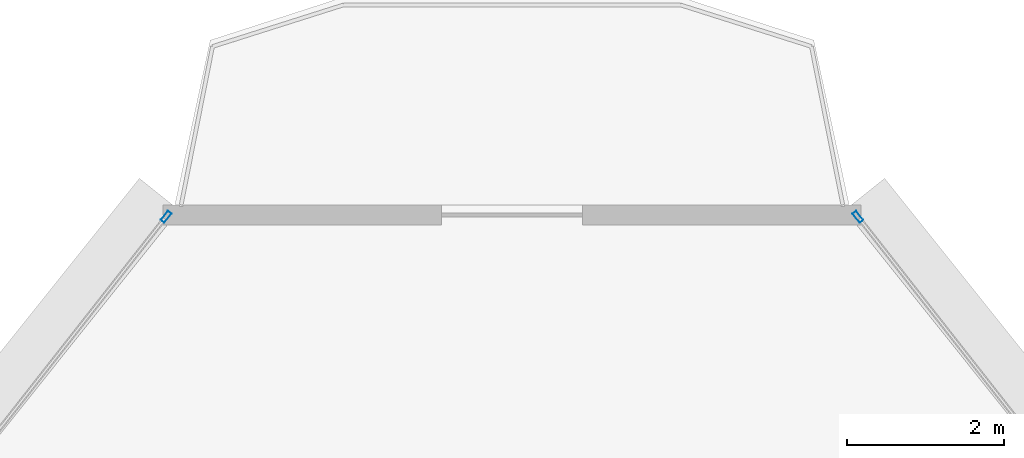
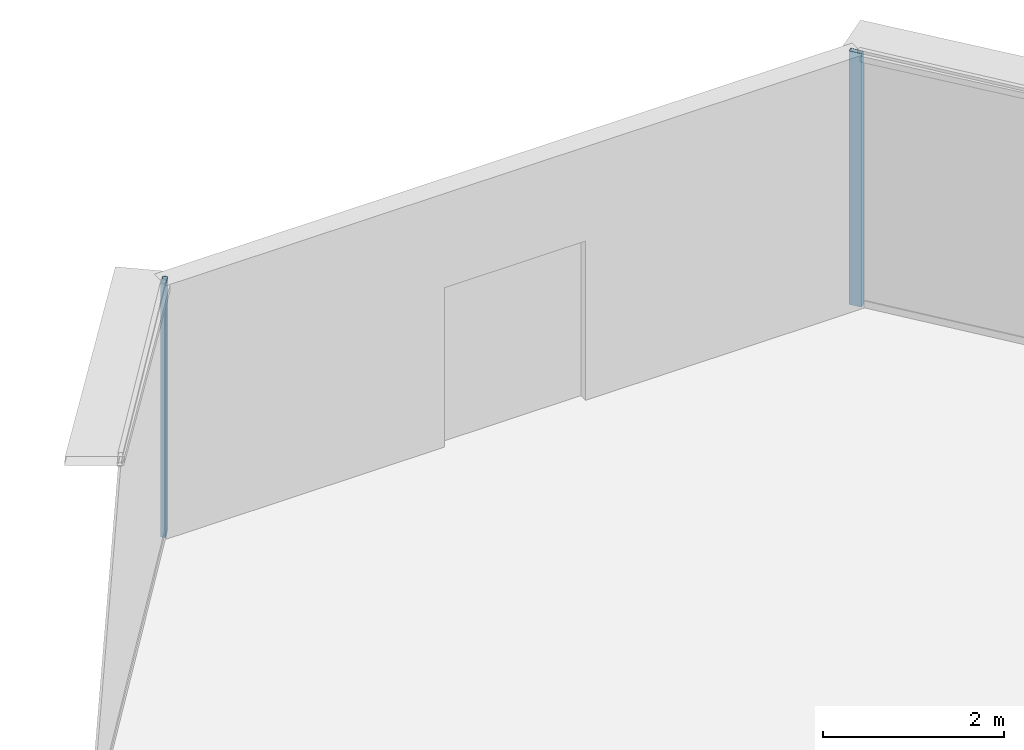
# One storey, part 29 of 42: 2 members, 2 elements without a shape of their own.
"""IFC4 building model written with IfcOpenShell, lengths in metres."""

from ifc_helpers import new_model, si_unit, direction, frame, origin, origin_2d, place, context, subcontext, project, spatial, hollow_rectangle, extrude, source, transform, mapped, material, layer, layer_set, material_profile, profile_set, type_object, element, aggregate, save


model = new_model("IFC4")

# Units and contexts
model_context = context("Model", 3, precision=1e-05, world=origin(), true_north=direction((0.0, 1.0)))
body_context = subcontext(model_context, "Body", "Model", "MODEL_VIEW")
ifc_project = project(units=[si_unit("LENGTHUNIT", "METRE"), si_unit("AREAUNIT", "SQUARE_METRE"), si_unit("VOLUMEUNIT", "CUBIC_METRE"), si_unit("PLANEANGLEUNIT", "RADIAN"), si_unit("MASSUNIT", "GRAM", prefix="KILO"), si_unit("THERMODYNAMICTEMPERATUREUNIT", "KELVIN"), si_unit("POWERUNIT", "WATT")], contexts=[model_context])

# Site, building, storey
site_placement = place(None, origin())
site = spatial("IfcSite", under=ifc_project, at=site_placement, CompositionType="ELEMENT")
building_placement = place(site_placement, origin())
building = spatial("IfcBuilding", under=site, at=building_placement, Name="Yunzhuo Pagoda Commons", CompositionType="ELEMENT")
storey_placement = place(building_placement, frame((0.0, 0.0, 137.18994140625)))
storey = spatial("IfcBuildingStorey", under=building, at=storey_placement, Name="L34", CompositionType="ELEMENT", Elevation=137.18994140625)

# Curtain wall, member
ifc_material = material(Name="Anodized aluminium 6063-T6", Category="aluminium")
ifc_layer = layer(ifc_material, 0.14990234375)
ifc_layer_set = layer_set([ifc_layer], Name="Anodized aluminium 6063-T6")
curtain_wall_type = type_object("IfcCurtainWallType", Name="CW-MID Mid-Zone Ribbon Curtain Wall", PredefinedType="NOTDEFINED", material=ifc_layer_set)
curtain_wall_1_placement = place(storey_placement, origin())
curtain_wall_1 = element("IfcCurtainWall", 1, at=curtain_wall_1_placement, inside=storey, type_object=curtain_wall_type, Name="L34 curtain wall CW-L34-F2B5", PredefinedType="NOTDEFINED")
ifc_material_profile = material_profile(ifc_material, hollow_rectangle(XDim=0.06005859375, YDim=0.14990234375, WallThickness=0.00390625, at=origin_2d()), Name="Anodized aluminium 6063-T6")
ifc_profile_set = profile_set([ifc_material_profile], Name="Anodized aluminium 6063-T6")
member_type = type_object("IfcMemberType", Name="CW-MID-M Mullion RHS 150x60x4", PredefinedType="MULLION", material=ifc_profile_set)
shared_shape = source(origin(), body_context, "Body", "SweptSolid", [
    extrude(hollow_rectangle(XDim=0.06005859375, YDim=0.14990234375, WallThickness=0.00390625, at=origin_2d()), origin(), (0.0, 0.0, 1.0), 3.420166015625),
])
member_1_placement = place(storey_placement, frame((52.414794921875, 85.219970703125, 0.0), z_axis=(0.0, 0.0, 1.0), x_axis=(-0.786571576347, -0.617499113588, 0.0)))
member_1 = element("IfcMember", 2, at=member_1_placement, type_object=member_type, Name="CW mullion 2", PredefinedType="MULLION", context=body_context, shape_type="MappedRepresentation", body=[
    mapped(shared_shape, transform((0.0, 0.0, 0.0), scale=1.0)),
])
aggregate(curtain_wall_1, [member_1])

curtain_wall_2_placement = place(storey_placement, origin())
curtain_wall_2 = element("IfcCurtainWall", 3, at=curtain_wall_2_placement, inside=storey, type_object=curtain_wall_type, Name="L34 curtain wall CW-L34-F3B1", PredefinedType="NOTDEFINED")
member_2_placement = place(storey_placement, frame((43.585205078125, 85.219970703125, 0.0), z_axis=(0.0, 0.0, 1.0), x_axis=(0.786571576347, -0.617499113588, 0.0)))
member_2 = element("IfcMember", 4, at=member_2_placement, type_object=member_type, Name="CW mullion 1", PredefinedType="MULLION", context=body_context, shape_type="MappedRepresentation", body=[
    mapped(shared_shape, transform((0.0, 0.0, 0.0), scale=1.0)),
])
aggregate(curtain_wall_2, [member_2])

save(model, "model.ifc")
